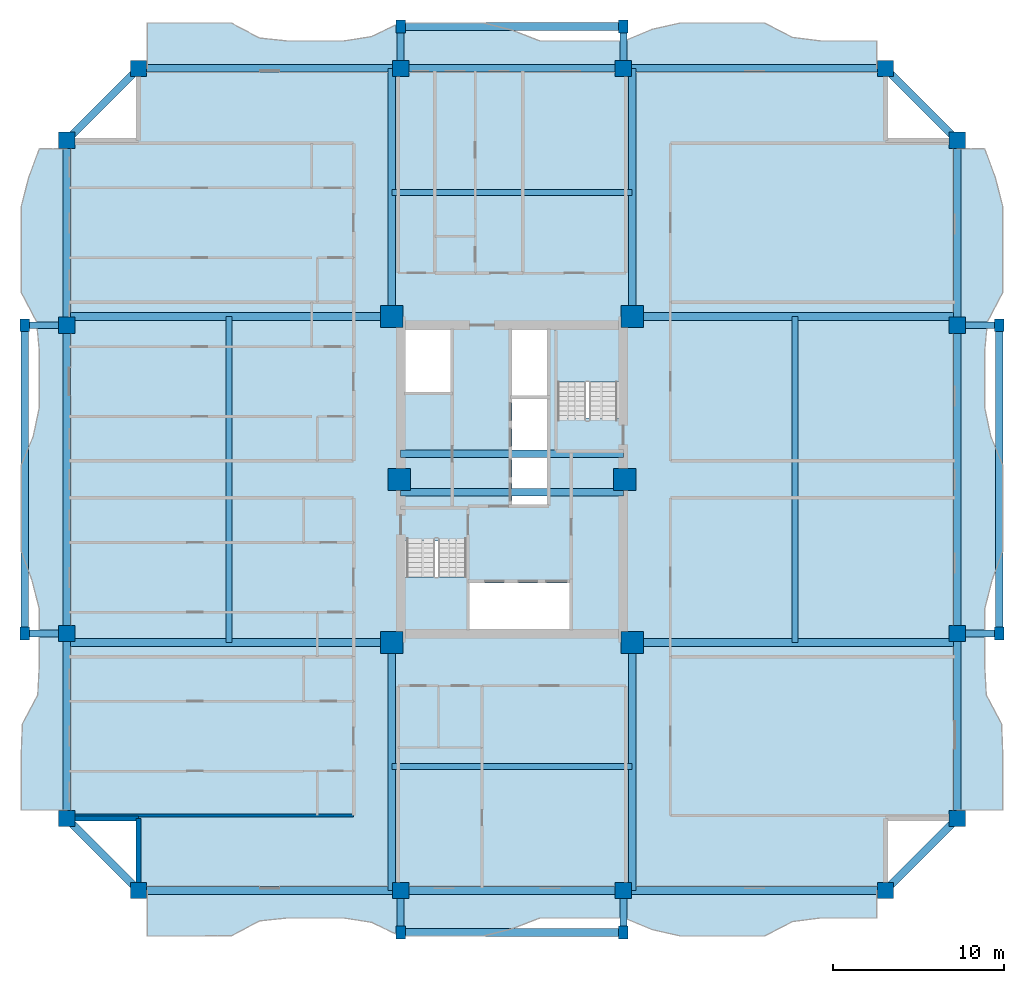
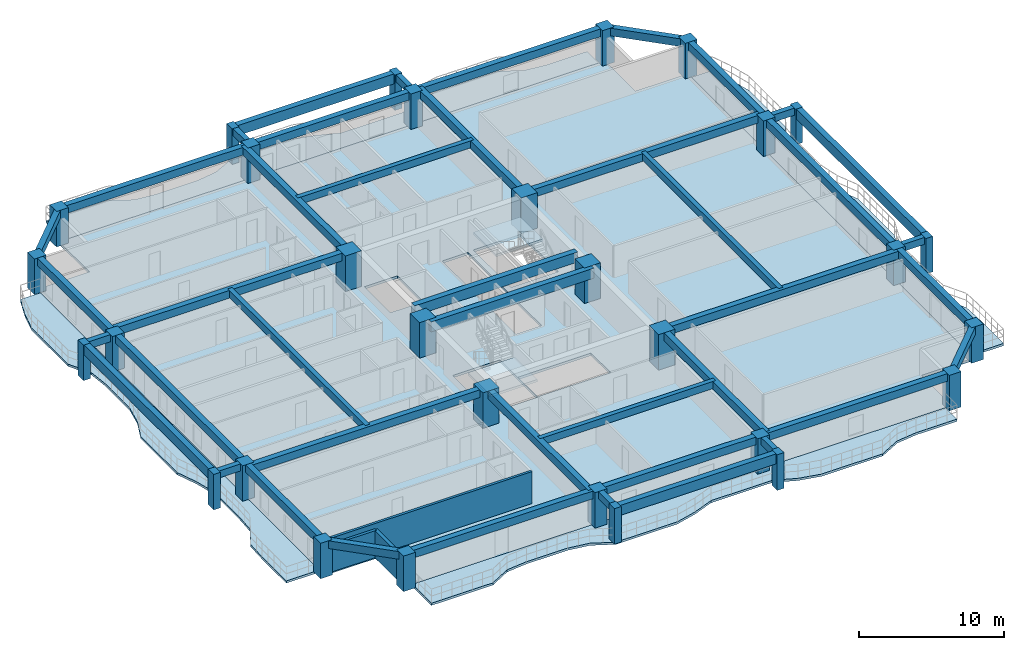
# One storey, part 1 of 11: 42 beams, 30 columns, 7 slabs, 3 walls, 2 elements without a shape of their own.
"""IFC4 building model written with IfcOpenShell, lengths in metres."""

import ifcopenshell
import ifcopenshell.guid

model = None  # the IFC model being written
_history = None  # IfcOwnerHistory: only IFC2X3 demands one
_inside = {}  # id of a spatial element -> (the spatial element, [elements in it])
_under = {}  # id of a project, library or spatial element -> (it, [spatial elements below it])
_declared = {}  # id of a project -> (the project, [libraries it declares])
_typed = {}  # id of a type object -> (the type object, [elements of that type])
_made_of = {}  # id of a material, layer set ... -> (it, [elements and type objects made of it])


def new_model(schema):
    """Start an empty IFC model of exactly this schema.

    Asked for "IFC4X3", IfcOpenShell would pick the latest addendum, in which some entities
    have other attributes; the version numbers below select the first issue.
    IFC2X3 requires an IfcOwnerHistory on every rooted entity: one is made here for all.
    """
    global model, _history
    if schema == "IFC4X3":
        model = ifcopenshell.file(schema_version=(4, 3, 0, 0))
    else:
        model = ifcopenshell.file(schema=schema)
    _inside.clear()
    _under.clear()
    _declared.clear()
    _typed.clear()
    _made_of.clear()
    _history = None
    if model.schema == "IFC2X3":
        org = make("IfcOrganization", Name="unknown")
        user = make(
            "IfcPersonAndOrganization",
            ThePerson=make("IfcPerson", FamilyName="unknown"),
            TheOrganization=org,
        )
        app = make(
            "IfcApplication",
            ApplicationDeveloper=org,
            Version="unknown",
            ApplicationFullName="unknown",
            ApplicationIdentifier="unknown",
        )
        _history = make(
            "IfcOwnerHistory",
            OwningUser=user,
            OwningApplication=app,
            ChangeAction="ADDED",
            CreationDate=0,
        )
    return model


def make(cls, **values):
    """One entity of the class cls with the attributes given. An attribute that is None is left unset."""
    return model.create_entity(
        cls, **{name: value for name, value in values.items() if value is not None}
    )


def rooted(cls, **values):
    """An entity with a GlobalId (a new one), such as an element, a storey or a relation."""
    return make(cls, GlobalId=ifcopenshell.guid.new(), OwnerHistory=_history, **values)


def si_unit(unit_type, name, prefix=None):
    """IfcSIUnit, for example si_unit("LENGTHUNIT", "METRE", prefix="MILLI")."""
    return make("IfcSIUnit", UnitType=unit_type, Prefix=prefix, Name=name)


def assignment(units):
    """IfcUnitAssignment: the units of a project."""
    return None if units is None else make("IfcUnitAssignment", Units=units)


def point(xyz):
    """IfcCartesianPoint."""
    return None if xyz is None else make("IfcCartesianPoint", Coordinates=xyz)


def direction(xyz):
    """IfcDirection."""
    return None if xyz is None else make("IfcDirection", DirectionRatios=xyz)


def frame(location, z_axis=None, x_axis=None):
    """IfcAxis2Placement3D, a coordinate frame: its origin and axes. An axis left out is left unset."""
    return make(
        "IfcAxis2Placement3D",
        Location=point(location),
        Axis=direction(z_axis),
        RefDirection=direction(x_axis),
    )


def frame_2d(location, x_axis=None):
    """IfcAxis2Placement2D, a coordinate frame in the plane: its origin and x axis."""
    return make(
        "IfcAxis2Placement2D", Location=point(location), RefDirection=direction(x_axis)
    )


def origin():
    """The frame at (0, 0, 0) with its axes left unset."""
    return frame((0.0, 0.0, 0.0))


def origin_2d():
    """The frame at (0, 0) in the plane with its x axis left unset."""
    return frame_2d((0.0, 0.0))


def place(relative_to, where):
    """IfcLocalPlacement: puts the frame where relative to a parent placement (None: the world)."""
    return make(
        "IfcLocalPlacement", PlacementRelTo=relative_to, RelativePlacement=where
    )


def context(
    kind, dimensions, precision=None, world=None, true_north=None, identifier=None
):
    """IfcGeometricRepresentationContext, for example the 3D "Model" context."""
    return make(
        "IfcGeometricRepresentationContext",
        ContextIdentifier=identifier,
        ContextType=kind,
        CoordinateSpaceDimension=dimensions,
        Precision=precision,
        WorldCoordinateSystem=world,
        TrueNorth=true_north,
    )


def subcontext(parent, identifier, kind, view, scale=None):
    """IfcGeometricRepresentationSubContext, for example "Body" below "Model"."""
    return make(
        "IfcGeometricRepresentationSubContext",
        ContextIdentifier=identifier,
        ContextType=kind,
        ParentContext=parent,
        TargetScale=scale,
        TargetView=view,
    )


def project(units=None, contexts=None):
    """IfcProject with its units and contexts."""
    return rooted(
        "IfcProject",
        Name="project",
        RepresentationContexts=contexts,
        UnitsInContext=assignment(units),
    )


def spatial(cls, under=None, at=None, **own):
    """A site, building, storey or space (cls), placed at a placement, below another one or the project."""
    s = rooted(cls, ObjectPlacement=at, **own)
    if under is not None:
        _under.setdefault(under.id(), (under, []))[1].append(s)
    return s


def polyline(points):
    """IfcPolyline through the points."""
    return make("IfcPolyline", Points=[point(p) for p in points])


def profile(cls, at=None, kind="AREA", **sizes):
    """A parametric profile (cls). Its sizes go by their IFC names, for example OverallWidth=200.0."""
    return make(cls, ProfileType=kind, Position=at, **sizes)


def rectangle(**sizes):
    """IfcRectangleProfileDef."""
    return profile("IfcRectangleProfileDef", **sizes)


def outline(outer, holes=None, kind="AREA"):
    """IfcArbitraryClosedProfileDef: a profile drawn as a closed curve; with holes, ...WithVoids."""
    if holes is None:
        return make("IfcArbitraryClosedProfileDef", ProfileType=kind, OuterCurve=outer)
    return make(
        "IfcArbitraryProfileDefWithVoids",
        ProfileType=kind,
        OuterCurve=outer,
        InnerCurves=holes,
    )


def extrude(swept, where, along, depth):
    """IfcExtrudedAreaSolid: the profile swept, set in the frame where, extruded along a direction by depth."""
    return make(
        "IfcExtrudedAreaSolid",
        SweptArea=swept,
        Position=where,
        ExtrudedDirection=direction(along),
        Depth=depth,
    )


def shape(context_of_items, identifier, shape_type, items):
    """IfcShapeRepresentation: the items that make up one representation, for example the "Body"."""
    return make(
        "IfcShapeRepresentation",
        ContextOfItems=context_of_items,
        RepresentationIdentifier=identifier,
        RepresentationType=shape_type,
        Items=items,
    )


def source(mapping_origin, context_of_items, identifier, shape_type, items):
    """IfcRepresentationMap: a shape defined once, which mapped items show again and again."""
    return make(
        "IfcRepresentationMap",
        MappingOrigin=mapping_origin,
        MappedRepresentation=shape(context_of_items, identifier, shape_type, items),
    )


def transform(
    local_origin,
    x_axis=None,
    y_axis=None,
    z_axis=None,
    scale=None,
    scale2=None,
    scale3=None,
    uniform=True,
):
    """IfcCartesianTransformationOperator3D, or its non-uniform kind. x_axis, y_axis, z_axis: its Axis1, 2, 3."""
    if uniform:
        return make(
            "IfcCartesianTransformationOperator3D",
            Axis1=direction(x_axis),
            Axis2=direction(y_axis),
            LocalOrigin=point(local_origin),
            Scale=scale,
            Axis3=direction(z_axis),
        )
    return make(
        "IfcCartesianTransformationOperator3DnonUniform",
        Axis1=direction(x_axis),
        Axis2=direction(y_axis),
        LocalOrigin=point(local_origin),
        Scale=scale,
        Axis3=direction(z_axis),
        Scale2=scale2,
        Scale3=scale3,
    )


def mapped(mapping_source, mapping_target):
    """IfcMappedItem: shows the shape of a source again, moved by a transform."""
    return make(
        "IfcMappedItem", MappingSource=mapping_source, MappingTarget=mapping_target
    )


def material(Name=None, Category=None):
    """IfcMaterial."""
    return make("IfcMaterial", Name=Name, Category=Category)


def layer(
    of_material, thickness, ventilated=None, Name=None, Category=None, Priority=None
):
    """IfcMaterialLayer: one layer of a wall or slab, of a material (None: an air gap)."""
    return make(
        "IfcMaterialLayer",
        Material=of_material,
        LayerThickness=thickness,
        IsVentilated=ventilated,
        Name=Name,
        Category=Category,
        Priority=Priority,
    )


def layer_set(layers, Name=None):
    """IfcMaterialLayerSet."""
    return make("IfcMaterialLayerSet", MaterialLayers=layers, LayerSetName=Name)


def material_profile(
    of_material, cross_section, Name=None, Category=None, Priority=None
):
    """IfcMaterialProfile: a cross section and its material."""
    return make(
        "IfcMaterialProfile",
        Name=Name,
        Material=of_material,
        Profile=cross_section,
        Priority=Priority,
        Category=Category,
    )


def profile_set(profiles, Name=None, composite=None):
    """IfcMaterialProfileSet."""
    return make(
        "IfcMaterialProfileSet",
        Name=Name,
        MaterialProfiles=profiles,
        CompositeProfile=composite,
    )


def made_of(thing, what):
    """Note that an element or type object is made of a material, layer set ...; save() writes the relation."""
    if what is not None:
        _made_of.setdefault(what.id(), (what, []))[1].append(thing)
    return thing


def type_object(cls, material=None, **own):
    """A type object (cls), such as IfcWallType, which elements share."""
    return made_of(rooted(cls, **own), material)


def element(
    cls,
    number,
    at=None,
    inside=None,
    cuts=None,
    type_object=None,
    material=None,
    context=None,
    identifier="Body",
    shape_type=None,
    held_by="IfcProductDefinitionShape",
    body=None,
    shapes=None,
    **own,
):
    """One element of the class cls, such as IfcWall. Its Tag is "e" and its number.

    at: its placement. inside: the storey or other place that contains it. cuts: it is an
    opening in that element (IfcRelVoidsElement). A single representation is given by context,
    identifier, shape_type and body (its items); several are given by shapes. held_by: the class
    of the entity that holds the representations. save() writes the other relations.
    """
    e = rooted(cls, Tag="e%d" % number, ObjectPlacement=at, **own)
    if body is not None:
        shapes = [shape(context, identifier, shape_type, body)]
    if shapes is not None:
        e.Representation = make(held_by, Representations=shapes)
    if inside is not None:
        _inside.setdefault(inside.id(), (inside, []))[1].append(e)
    if cuts is not None:
        rooted(
            "IfcRelVoidsElement", RelatingBuildingElement=cuts, RelatedOpeningElement=e
        )
    if type_object is not None:
        _typed.setdefault(type_object.id(), (type_object, []))[1].append(e)
    return made_of(e, material)


def aggregate(whole, parts):
    """IfcRelAggregates: a whole, such as a stair, and the parts it consists of."""
    return rooted("IfcRelAggregates", RelatingObject=whole, RelatedObjects=parts)


def save(model, path):
    """Write the relations noted so far, then the file.

    IfcRelAggregates (storeys below a building ...), IfcRelContainedInSpatialStructure (elements
    in a storey), IfcRelDefinesByType, IfcRelAssociatesMaterial and IfcRelDeclares: one each for
    every whole, place, type object, material and project.
    """
    for whole, parts in _under.values():
        aggregate(whole, parts)
    for where, things in _inside.values():
        rooted(
            "IfcRelContainedInSpatialStructure",
            RelatedElements=things,
            RelatingStructure=where,
        )
    for kind, things in _typed.values():
        rooted("IfcRelDefinesByType", RelatedObjects=things, RelatingType=kind)
    for what, things in _made_of.values():
        rooted("IfcRelAssociatesMaterial", RelatedObjects=things, RelatingMaterial=what)
    for by, libraries in _declared.values():
        rooted("IfcRelDeclares", RelatingContext=by, RelatedDefinitions=libraries)
    model.write(path)


model = new_model("IFC4")

# Units and contexts
model_context = context("Model", 3, precision=1e-05, world=origin(), true_north=direction((0.0, 1.0)))
body_context = subcontext(model_context, "Body", "Model", "MODEL_VIEW")
ifc_project = project(units=[si_unit("LENGTHUNIT", "METRE"), si_unit("AREAUNIT", "SQUARE_METRE"), si_unit("VOLUMEUNIT", "CUBIC_METRE"), si_unit("PLANEANGLEUNIT", "RADIAN"), si_unit("MASSUNIT", "GRAM", prefix="KILO")], contexts=[model_context])

# Site, building, storey
site_placement = place(None, origin())
site = spatial("IfcSite", under=ifc_project, at=site_placement, CompositionType="ELEMENT")
building_placement = place(site_placement, origin())
building = spatial("IfcBuilding", under=site, at=building_placement, Name="Saelheon Loggia Tower", CompositionType="ELEMENT")
storey_placement = place(building_placement, frame((0.0, 0.0, 141.75)))
storey = spatial("IfcBuildingStorey", under=building, at=storey_placement, Name="L45", CompositionType="ELEMENT", Elevation=141.75)

# Columns
ifc_material_1 = material(Name="Precast Concrete C45/55", Category="concrete")
ifc_material_profile_1 = material_profile(ifc_material_1, rectangle(XDim=0.550048828125, YDim=0.75, at=origin_2d()), Name="RC-550x750")
ifc_profile_set_1 = profile_set([ifc_material_profile_1], Name="Precast Concrete C45/55")
column_type_1 = type_object("IfcColumnType", Name="Col_Loggia_Pilaster_750", PredefinedType="PILASTER", material=ifc_profile_set_1)
shared_shape_1 = source(origin(), body_context, "Body", "SweptSolid", [
    extrude(rectangle(XDim=0.550048828125, YDim=0.75, at=origin_2d()), origin(), (0.0, 0.0, 1.0), 3.0),
])
for number, where, z_axis, x_axis, name in (
    (1, (31.5, 0.550048828125, 0.0), (0.0, 0.0, 1.0), (1.0, 0.0, 0.0), "L45 Loggia Frame Pilaster LP-S1"),
    (2, (44.5, 0.550048828125, 0.0), (0.0, 0.0, 1.0), (1.0, 0.0, 0.0), "L45 Loggia Frame Pilaster LP-S2"),
    (3, (31.5, 53.449951171875, 0.0), (0.0, 0.0, 1.0), (1.0, 0.0, 0.0), "L45 Loggia Frame Pilaster LP-N1"),
    (4, (44.5, 53.449951171875, 0.0), (0.0, 0.0, 1.0), (1.0, 0.0, 0.0), "L45 Loggia Frame Pilaster LP-N2"),
    (5, (66.449951171875, 18.0, 0.0), (0.0, 0.0, 1.0), (1.0, 0.0, 0.0), "L45 Loggia Frame Pilaster LP-E1"),
    (6, (66.449951171875, 36.0, 0.0), (0.0, 0.0, 1.0), (1.0, 0.0, 0.0), "L45 Loggia Frame Pilaster LP-E2"),
    (7, (9.550048828125, 18.0, 0.0), (0.0, 0.0, 1.0), (1.0, 0.0, 0.0), "L45 Loggia Frame Pilaster LP-W1"),
    (8, (9.550048828125, 36.0, 0.0), (0.0, 0.0, 1.0), (1.0, 0.0, 0.0), "L45 Loggia Frame Pilaster LP-W2"),
):
    element("IfcColumn", number, at=place(storey_placement, frame(where, z_axis=z_axis, x_axis=x_axis)), inside=storey, type_object=column_type_1, Name=name, PredefinedType="PILASTER", context=body_context, shape_type="MappedRepresentation", body=[
        mapped(shared_shape_1, transform((0.0, 0.0, 0.0), scale=1.0)),
    ])
ifc_material_2 = material(Name="Concrete C60/75", Category="concrete")
ifc_material_profile_2 = material_profile(ifc_material_2, rectangle(XDim=1.300048828125, YDim=1.300048828125, at=origin_2d()), Name="RC-1300x1300")
ifc_profile_set_2 = profile_set([ifc_material_profile_2], Name="Concrete C60/75")
column_type_2 = type_object("IfcColumnType", Name="Col_Core_RC1300", PredefinedType="COLUMN", material=ifc_profile_set_2)
shared_shape_2 = source(origin(), body_context, "Body", "SweptSolid", [
    extrude(rectangle(XDim=1.300048828125, YDim=1.300048828125, at=origin_2d()), origin(), (0.0, 0.0, 1.0), 3.0),
])
for number, where, z_axis, x_axis, name in (
    (9, (30.97998046875, 17.47998046875, 0.0), (0.0, 0.0, 1.0), (1.0, 0.0, 0.0), "L45 Core Column CR-SW"),
    (10, (45.02001953125, 17.47998046875, 0.0), (0.0, 0.0, 1.0), (1.0, 0.0, 0.0), "L45 Core Column CR-SE"),
    (11, (30.97998046875, 36.52001953125, 0.0), (0.0, 0.0, 1.0), (1.0, 0.0, 0.0), "L45 Core Column CR-NW"),
    (12, (45.02001953125, 36.52001953125, 0.0), (0.0, 0.0, 1.0), (1.0, 0.0, 0.0), "L45 Core Column CR-NE"),
    (13, (31.419921875, 27.0, 0.0), (0.0, 0.0, 1.0), (1.0, 0.0, 0.0), "L45 Core Column CR-MW"),
    (14, (44.580078125, 27.0, 0.0), (0.0, 0.0, 1.0), (1.0, 0.0, 0.0), "L45 Core Column CR-ME"),
):
    element("IfcColumn", number, at=place(storey_placement, frame(where, z_axis=z_axis, x_axis=x_axis)), inside=storey, type_object=column_type_2, Name=name, PredefinedType="COLUMN", context=body_context, shape_type="MappedRepresentation", body=[
        mapped(shared_shape_2, transform((0.0, 0.0, 0.0), scale=1.0)),
    ])
ifc_material_3 = material(Name="Concrete C50/60", Category="concrete")
ifc_material_profile_3 = material_profile(ifc_material_3, rectangle(XDim=0.949951171875, YDim=0.949951171875, at=origin_2d()), Name="RC-950x950")
ifc_profile_set_3 = profile_set([ifc_material_profile_3], Name="Concrete C50/60")
column_type_3 = type_object("IfcColumnType", Name="Col_Perim_RC950", PredefinedType="COLUMN", material=ifc_profile_set_3)
shared_shape_3 = source(origin(), body_context, "Body", "SweptSolid", [
    extrude(rectangle(XDim=0.949951171875, YDim=0.949951171875, at=origin_2d()), origin(), (0.0, 0.0, 1.0), 3.0),
])
for number, where, z_axis, x_axis, name in (
    (15, (16.199951171875, 3.0, 0.0), (0.0, 0.0, 1.0), (1.0, 0.0, 0.0), "L45 Perimeter Column TP-S1"),
    (16, (31.5, 3.0, 0.0), (0.0, 0.0, 1.0), (1.0, 0.0, 0.0), "L45 Perimeter Column TP-SA"),
    (17, (44.5, 3.0, 0.0), (0.0, 0.0, 1.0), (1.0, 0.0, 0.0), "L45 Perimeter Column TP-SB"),
    (18, (59.800048828125, 3.0, 0.0), (0.0, 0.0, 1.0), (1.0, 0.0, 0.0), "L45 Perimeter Column TP-S2"),
    (19, (64.0, 7.199951171875, 0.0), (0.0, 0.0, 1.0), (1.0, 0.0, 0.0), "L45 Perimeter Column TP-E1"),
    (20, (64.0, 18.0, 0.0), (0.0, 0.0, 1.0), (1.0, 0.0, 0.0), "L45 Perimeter Column TP-EA"),
    (21, (64.0, 36.0, 0.0), (0.0, 0.0, 1.0), (1.0, 0.0, 0.0), "L45 Perimeter Column TP-EB"),
    (22, (64.0, 46.800048828125, 0.0), (0.0, 0.0, 1.0), (1.0, 0.0, 0.0), "L45 Perimeter Column TP-E2"),
    (23, (59.800048828125, 51.0, 0.0), (0.0, 0.0, 1.0), (1.0, 0.0, 0.0), "L45 Perimeter Column TP-N2"),
    (24, (44.5, 51.0, 0.0), (0.0, 0.0, 1.0), (1.0, 0.0, 0.0), "L45 Perimeter Column TP-NB"),
    (25, (31.5, 51.0, 0.0), (0.0, 0.0, 1.0), (1.0, 0.0, 0.0), "L45 Perimeter Column TP-NA"),
    (26, (16.199951171875, 51.0, 0.0), (0.0, 0.0, 1.0), (1.0, 0.0, 0.0), "L45 Perimeter Column TP-N1"),
    (27, (12.0, 46.800048828125, 0.0), (0.0, 0.0, 1.0), (1.0, 0.0, 0.0), "L45 Perimeter Column TP-W2"),
    (28, (12.0, 36.0, 0.0), (0.0, 0.0, 1.0), (1.0, 0.0, 0.0), "L45 Perimeter Column TP-WB"),
    (29, (12.0, 18.0, 0.0), (0.0, 0.0, 1.0), (1.0, 0.0, 0.0), "L45 Perimeter Column TP-WA"),
    (30, (12.0, 7.199951171875, 0.0), (0.0, 0.0, 1.0), (1.0, 0.0, 0.0), "L45 Perimeter Column TP-W1"),
):
    element("IfcColumn", number, at=place(storey_placement, frame(where, z_axis=z_axis, x_axis=x_axis)), inside=storey, type_object=column_type_3, Name=name, PredefinedType="COLUMN", context=body_context, shape_type="MappedRepresentation", body=[
        mapped(shared_shape_3, transform((0.0, 0.0, 0.0), scale=1.0)),
    ])

# Beams
ifc_material_profile_4 = material_profile(ifc_material_3, rectangle(XDim=0.449951171875, YDim=0.85009765625, at=origin_2d()), Name="RC-450x850")
ifc_profile_set_4 = profile_set([ifc_material_profile_4], Name="Concrete C50/60")
beam_type_1 = type_object("IfcBeamType", Name="Beam_CoreLintel_RC450x850", PredefinedType="LINTEL", material=ifc_profile_set_4)
shared_shape_4 = source(origin(), body_context, "Body", "SweptSolid", [
    extrude(rectangle(XDim=0.449951171875, YDim=0.85009765625, at=origin_2d()), origin(), (0.0, 0.0, 1.0), 13.0),
])
for number, where, z_axis, x_axis, name in (
    (31, (31.5, 26.25, 2.574951171875), (1.0, 0.0, 0.0), (0.0, 1.0, 0.0), "L45 Core Coupling Lintel 1"),
    (32, (31.5, 28.5, 2.574951171875), (1.0, 0.0, 0.0), (0.0, 1.0, 0.0), "L45 Core Coupling Lintel 2"),
):
    element("IfcBeam", number, at=place(storey_placement, frame(where, z_axis=z_axis, x_axis=x_axis)), inside=storey, type_object=beam_type_1, Name=name, PredefinedType="LINTEL", context=body_context, shape_type="MappedRepresentation", body=[
        mapped(shared_shape_4, transform((0.0, 0.0, 0.0), scale=1.0)),
    ])
ifc_material_profile_5 = material_profile(ifc_material_1, rectangle(XDim=0.449951171875, YDim=0.85009765625, at=origin_2d()), Name="RC-450x850")
ifc_profile_set_5 = profile_set([ifc_material_profile_5], Name="Precast Concrete C45/55")
beam_type_2 = type_object("IfcBeamType", Name="Beam_LoggiaSpandrel_RC450x850", PredefinedType="SPANDREL", material=ifc_profile_set_5)
for number, where, z_axis, x_axis, name in (
    (33, (31.5, 0.550048828125, 2.574951171875), (1.0, 0.0, 0.0), (0.0, 1.0, 0.0), "L45 Loggia Spandrel Beam S"),
    (34, (31.5, 53.449951171875, 2.574951171875), (1.0, 0.0, 0.0), (0.0, 1.0, 0.0), "L45 Loggia Spandrel Beam N"),
):
    element("IfcBeam", number, at=place(storey_placement, frame(where, z_axis=z_axis, x_axis=x_axis)), inside=storey, type_object=beam_type_2, Name=name, PredefinedType="SPANDREL", context=body_context, shape_type="MappedRepresentation", body=[
        mapped(shared_shape_4, transform((0.0, 0.0, 0.0), scale=1.0)),
    ])
ifc_material_profile_6 = material_profile(ifc_material_1, rectangle(XDim=0.39990234375, YDim=0.60009765625, at=origin_2d()), Name="RC-400x600")
ifc_profile_set_6 = profile_set([ifc_material_profile_6], Name="Precast Concrete C45/55")
beam_type_3 = type_object("IfcBeamType", Name="Beam_LoggiaTie_RC400x600", PredefinedType="BEAM", material=ifc_profile_set_6)
shared_shape_5 = source(origin(), body_context, "Body", "SweptSolid", [
    extrude(rectangle(XDim=0.39990234375, YDim=0.60009765625, at=origin_2d()), origin(), (0.0, 0.0, 1.0), 2.449951171875),
])
for number, where, z_axis, x_axis, name in (
    (35, (31.5, 3.0, 2.699951171875), (0.0, -1.0, 0.0), (1.0, 0.0, 0.0), "L45 Loggia Frame Tie Beam LP-S1"),
    (36, (44.5, 3.0, 2.699951171875), (0.0, -1.0, 0.0), (1.0, 0.0, 0.0), "L45 Loggia Frame Tie Beam LP-S2"),
    (37, (31.5, 51.0, 2.699951171875), (0.0, 1.0, 0.0), (-1.0, 0.0, 0.0), "L45 Loggia Frame Tie Beam LP-N1"),
    (38, (44.5, 51.0, 2.699951171875), (0.0, 1.0, 0.0), (-1.0, 0.0, 0.0), "L45 Loggia Frame Tie Beam LP-N2"),
    (39, (64.0, 18.0, 2.699951171875), (1.0, 0.0, 0.0), (0.0, 1.0, 0.0), "L45 Loggia Frame Tie Beam LP-E1"),
    (40, (64.0, 36.0, 2.699951171875), (1.0, 0.0, 0.0), (0.0, 1.0, 0.0), "L45 Loggia Frame Tie Beam LP-E2"),
    (41, (12.0, 18.0, 2.699951171875), (-1.0, 0.0, 0.0), (0.0, -1.0, 0.0), "L45 Loggia Frame Tie Beam LP-W1"),
    (42, (12.0, 36.0, 2.699951171875), (-1.0, 0.0, 0.0), (0.0, -1.0, 0.0), "L45 Loggia Frame Tie Beam LP-W2"),
):
    element("IfcBeam", number, at=place(storey_placement, frame(where, z_axis=z_axis, x_axis=x_axis)), inside=storey, type_object=beam_type_3, Name=name, PredefinedType="BEAM", context=body_context, shape_type="MappedRepresentation", body=[
        mapped(shared_shape_5, transform((0.0, 0.0, 0.0), scale=1.0)),
    ])
shared_shape_6 = source(origin(), body_context, "Body", "SweptSolid", [
    extrude(rectangle(XDim=0.449951171875, YDim=0.85009765625, at=origin_2d()), origin(), (0.0, 0.0, 1.0), 18.0),
])
for number, where, z_axis, x_axis, name in (
    (43, (66.449951171875, 18.0, 2.574951171875), (0.0, 1.0, 0.0), (-1.0, 0.0, 0.0), "L45 Loggia Spandrel Beam E"),
    (44, (9.550048828125, 18.0, 2.574951171875), (0.0, 1.0, 0.0), (-1.0, 0.0, 0.0), "L45 Loggia Spandrel Beam W"),
):
    element("IfcBeam", number, at=place(storey_placement, frame(where, z_axis=z_axis, x_axis=x_axis)), inside=storey, type_object=beam_type_2, Name=name, PredefinedType="SPANDREL", context=body_context, shape_type="MappedRepresentation", body=[
        mapped(shared_shape_6, transform((0.0, 0.0, 0.0), scale=1.0)),
    ])
ifc_material_4 = material(Name="Concrete C45/55", Category="concrete")
ifc_material_profile_7 = material_profile(ifc_material_4, rectangle(XDim=0.35009765625, YDim=0.60009765625, at=origin_2d()), Name="RC-350x600")
ifc_profile_set_7 = profile_set([ifc_material_profile_7], Name="Concrete C45/55")
beam_type_4 = type_object("IfcBeamType", Name="Beam_AmenityJoist_RC350x600", PredefinedType="JOIST", material=ifc_profile_set_7)
shared_shape_7 = source(origin(), body_context, "Body", "SweptSolid", [
    extrude(rectangle(XDim=0.35009765625, YDim=0.60009765625, at=origin_2d()), origin(), (0.0, 0.0, 1.0), 14.0400390625),
])
for number, where, z_axis, x_axis, name in (
    (45, (30.97998046875, 10.239990234375, 2.699951171875), (1.0, 0.0, 0.0), (0.0, 1.0, 0.0), "L45 South Floor Joist"),
    (46, (30.97998046875, 43.760009765625, 2.699951171875), (1.0, 0.0, 0.0), (0.0, 1.0, 0.0), "L45 North Floor Joist"),
):
    element("IfcBeam", number, at=place(storey_placement, frame(where, z_axis=z_axis, x_axis=x_axis)), inside=storey, type_object=beam_type_4, Name=name, PredefinedType="JOIST", context=body_context, shape_type="MappedRepresentation", body=[
        mapped(shared_shape_7, transform((0.0, 0.0, 0.0), scale=1.0)),
    ])
shared_shape_8 = source(origin(), body_context, "Body", "SweptSolid", [
    extrude(rectangle(XDim=0.35009765625, YDim=0.60009765625, at=origin_2d()), origin(), (0.0, 0.0, 1.0), 19.0400390625),
])
for number, where, z_axis, x_axis, name in (
    (47, (21.489990234375, 17.47998046875, 2.699951171875), (0.0, 1.0, 0.0), (-1.0, 0.0, 0.0), "L45 West Floor Joist"),
    (48, (54.510009765625, 17.47998046875, 2.699951171875), (0.0, 1.0, 0.0), (-1.0, 0.0, 0.0), "L45 East Floor Joist"),
):
    element("IfcBeam", number, at=place(storey_placement, frame(where, z_axis=z_axis, x_axis=x_axis)), inside=storey, type_object=beam_type_4, Name=name, PredefinedType="JOIST", context=body_context, shape_type="MappedRepresentation", body=[
        mapped(shared_shape_8, transform((0.0, 0.0, 0.0), scale=1.0)),
    ])
ifc_material_5 = material(Name="Concrete C40/50", Category="concrete")
ifc_material_profile_8 = material_profile(ifc_material_5, rectangle(XDim=0.449951171875, YDim=0.64990234375, at=origin_2d()), Name="RC-450x650")
ifc_profile_set_8 = profile_set([ifc_material_profile_8], Name="Concrete C40/50")
beam_type_5 = type_object("IfcBeamType", Name="Beam_PerimTower_RC450x650", PredefinedType="BEAM", material=ifc_profile_set_8)
shared_shape_9 = source(origin(), body_context, "Body", "SweptSolid", [
    extrude(rectangle(XDim=0.449951171875, YDim=0.64990234375, at=origin_2d()), origin(), (0.0, 0.0, 1.0), 15.300048828125),
])
for number, where, z_axis, x_axis, name in (
    (49, (16.199951171875, 3.0, 2.675048828125), (1.0, 0.0, 0.0), (0.0, 1.0, 0.0), "L45 Perimeter Frame Girder 01"),
    (50, (44.5, 3.0, 2.675048828125), (1.0, 0.0, 0.0), (0.0, 1.0, 0.0), "L45 Perimeter Frame Girder 03"),
    (51, (59.800048828125, 51.0, 2.675048828125), (-1.0, 0.0, 0.0), (0.0, -1.0, 0.0), "L45 Perimeter Frame Girder 09"),
    (52, (31.5, 51.0, 2.675048828125), (-1.0, 0.0, 0.0), (0.0, -1.0, 0.0), "L45 Perimeter Frame Girder 11"),
):
    element("IfcBeam", number, at=place(storey_placement, frame(where, z_axis=z_axis, x_axis=x_axis)), inside=storey, type_object=beam_type_5, Name=name, PredefinedType="BEAM", context=body_context, shape_type="MappedRepresentation", body=[
        mapped(shared_shape_9, transform((0.0, 0.0, 0.0), scale=1.0)),
    ])
shared_shape_10 = source(origin(), body_context, "Body", "SweptSolid", [
    extrude(rectangle(XDim=0.449951171875, YDim=0.64990234375, at=origin_2d()), origin(), (0.0, 0.0, 1.0), 13.0),
])
for number, where, z_axis, x_axis, name in (
    (53, (31.5, 3.0, 2.675048828125), (1.0, 0.0, 0.0), (0.0, 1.0, 0.0), "L45 Perimeter Frame Girder 02"),
    (54, (44.5, 51.0, 2.675048828125), (-1.0, 0.0, 0.0), (0.0, -1.0, 0.0), "L45 Perimeter Frame Girder 10"),
):
    element("IfcBeam", number, at=place(storey_placement, frame(where, z_axis=z_axis, x_axis=x_axis)), inside=storey, type_object=beam_type_5, Name=name, PredefinedType="BEAM", context=body_context, shape_type="MappedRepresentation", body=[
        mapped(shared_shape_10, transform((0.0, 0.0, 0.0), scale=1.0)),
    ])
shared_shape_11 = source(origin(), body_context, "Body", "SweptSolid", [
    extrude(rectangle(XDim=0.449951171875, YDim=0.64990234375, at=origin_2d()), origin(), (0.0, 0.0, 1.0), 5.939697265625),
])
for number, where, z_axis, x_axis, name in (
    (55, (59.800048828125, 3.0, 2.675048828125), (0.707106781187, 0.707106781187, 0.0), (-0.707106781187, 0.707106781187, 0.0), "L45 Perimeter Frame Girder 04"),
    (56, (64.0, 46.800048828125, 2.675048828125), (-0.707106781187, 0.707106781187, 0.0), (-0.707106781187, -0.707106781187, 0.0), "L45 Perimeter Frame Girder 08"),
    (57, (16.199951171875, 51.0, 2.675048828125), (-0.707106781187, -0.707106781187, 0.0), (0.707106781187, -0.707106781187, 0.0), "L45 Perimeter Frame Girder 12"),
    (58, (12.0, 7.199951171875, 2.675048828125), (0.707106781187, -0.707106781187, 0.0), (0.707106781187, 0.707106781187, 0.0), "L45 Perimeter Frame Girder 16"),
):
    element("IfcBeam", number, at=place(storey_placement, frame(where, z_axis=z_axis, x_axis=x_axis)), inside=storey, type_object=beam_type_5, Name=name, PredefinedType="BEAM", context=body_context, shape_type="MappedRepresentation", body=[
        mapped(shared_shape_11, transform((0.0, 0.0, 0.0), scale=1.0)),
    ])
shared_shape_12 = source(origin(), body_context, "Body", "SweptSolid", [
    extrude(rectangle(XDim=0.449951171875, YDim=0.64990234375, at=origin_2d()), origin(), (0.0, 0.0, 1.0), 10.800048828125),
])
for number, where, z_axis, x_axis, name in (
    (59, (64.0, 7.199951171875, 2.675048828125), (0.0, 1.0, 0.0), (-1.0, 0.0, 0.0), "L45 Perimeter Frame Girder 05"),
    (60, (64.0, 36.0, 2.675048828125), (0.0, 1.0, 0.0), (-1.0, 0.0, 0.0), "L45 Perimeter Frame Girder 07"),
    (61, (12.0, 46.800048828125, 2.675048828125), (0.0, -1.0, 0.0), (1.0, 0.0, 0.0), "L45 Perimeter Frame Girder 13"),
    (62, (12.0, 18.0, 2.675048828125), (0.0, -1.0, 0.0), (1.0, 0.0, 0.0), "L45 Perimeter Frame Girder 15"),
):
    element("IfcBeam", number, at=place(storey_placement, frame(where, z_axis=z_axis, x_axis=x_axis)), inside=storey, type_object=beam_type_5, Name=name, PredefinedType="BEAM", context=body_context, shape_type="MappedRepresentation", body=[
        mapped(shared_shape_12, transform((0.0, 0.0, 0.0), scale=1.0)),
    ])
shared_shape_13 = source(origin(), body_context, "Body", "SweptSolid", [
    extrude(rectangle(XDim=0.449951171875, YDim=0.64990234375, at=origin_2d()), origin(), (0.0, 0.0, 1.0), 18.0),
])
for number, where, z_axis, x_axis, name in (
    (63, (64.0, 18.0, 2.675048828125), (0.0, 1.0, 0.0), (-1.0, 0.0, 0.0), "L45 Perimeter Frame Girder 06"),
    (64, (12.0, 36.0, 2.675048828125), (0.0, -1.0, 0.0), (1.0, 0.0, 0.0), "L45 Perimeter Frame Girder 14"),
):
    element("IfcBeam", number, at=place(storey_placement, frame(where, z_axis=z_axis, x_axis=x_axis)), inside=storey, type_object=beam_type_5, Name=name, PredefinedType="BEAM", context=body_context, shape_type="MappedRepresentation", body=[
        mapped(shared_shape_13, transform((0.0, 0.0, 0.0), scale=1.0)),
    ])
ifc_material_profile_9 = material_profile(ifc_material_5, rectangle(XDim=0.449951171875, YDim=0.64990234375, at=origin_2d()), Name="RC-450x650")
ifc_profile_set_9 = profile_set([ifc_material_profile_9], Name="Concrete C40/50")
beam_type_6 = type_object("IfcBeamType", Name="Beam_TowerGirder_RC450x650", PredefinedType="BEAM", material=ifc_profile_set_9)
shared_shape_14 = source(origin(), body_context, "Body", "SweptSolid", [
    extrude(rectangle(XDim=0.449951171875, YDim=0.64990234375, at=origin_2d()), origin(), (0.0, 0.0, 1.0), 14.47998046875),
])
for number, where, z_axis, x_axis, name in (
    (65, (30.97998046875, 17.47998046875, 2.675048828125), (0.0, -1.0, 0.0), (1.0, 0.0, 0.0), "L45 Radial Floor Girder RAD-SW-S"),
    (66, (45.02001953125, 17.47998046875, 2.675048828125), (0.0, -1.0, 0.0), (1.0, 0.0, 0.0), "L45 Radial Floor Girder RAD-SE-S"),
    (67, (30.97998046875, 36.52001953125, 2.675048828125), (0.0, 1.0, 0.0), (-1.0, 0.0, 0.0), "L45 Radial Floor Girder RAD-NW-N"),
    (68, (45.02001953125, 36.52001953125, 2.675048828125), (0.0, 1.0, 0.0), (-1.0, 0.0, 0.0), "L45 Radial Floor Girder RAD-NE-N"),
):
    element("IfcBeam", number, at=place(storey_placement, frame(where, z_axis=z_axis, x_axis=x_axis)), inside=storey, type_object=beam_type_6, Name=name, PredefinedType="BEAM", context=body_context, shape_type="MappedRepresentation", body=[
        mapped(shared_shape_14, transform((0.0, 0.0, 0.0), scale=1.0)),
    ])
shared_shape_15 = source(origin(), body_context, "Body", "SweptSolid", [
    extrude(rectangle(XDim=0.449951171875, YDim=0.64990234375, at=origin_2d()), origin(), (0.0, 0.0, 1.0), 18.97998046875),
])
for number, where, z_axis, x_axis, name in (
    (69, (30.97998046875, 17.47998046875, 2.675048828125), (-1.0, 0.0, 0.0), (0.0, -1.0, 0.0), "L45 Radial Floor Girder RAD-SW-W"),
    (70, (30.97998046875, 36.52001953125, 2.675048828125), (-1.0, 0.0, 0.0), (0.0, -1.0, 0.0), "L45 Radial Floor Girder RAD-NW-W"),
    (71, (45.02001953125, 17.47998046875, 2.675048828125), (1.0, 0.0, 0.0), (0.0, 1.0, 0.0), "L45 Radial Floor Girder RAD-SE-E"),
    (72, (45.02001953125, 36.52001953125, 2.675048828125), (1.0, 0.0, 0.0), (0.0, 1.0, 0.0), "L45 Radial Floor Girder RAD-NE-E"),
):
    element("IfcBeam", number, at=place(storey_placement, frame(where, z_axis=z_axis, x_axis=x_axis)), inside=storey, type_object=beam_type_6, Name=name, PredefinedType="BEAM", context=body_context, shape_type="MappedRepresentation", body=[
        mapped(shared_shape_15, transform((0.0, 0.0, 0.0), scale=1.0)),
    ])

# Slabs
ifc_layer_1 = layer(ifc_material_1, 0.18994140625)
ifc_layer_set_1 = layer_set([ifc_layer_1], Name="Precast Concrete C45/55")
slab_type_1 = type_object("IfcSlabType", Name="Slab_Loggia_Ext_190", PredefinedType="FLOOR", material=ifc_layer_set_1)
slab_1_placement = place(storey_placement, frame((0.0, 0.0, -0.18994140625)))
element("IfcSlab", 73, at=slab_1_placement, inside=storey, type_object=slab_type_1, Name="L45 Loggia Balcony Slab S", PredefinedType="FLOOR", context=body_context, shape_type="SweptSolid", body=[
    extrude(outline(polyline([(16.699951171875, 0.35009765625), (18.33837890625, 0.35009765625), (19.976806640625, 0.35009765625), (21.615478515625, 0.353759765625), (23.25390625, 1.2275390625), (24.892333984375, 1.39990234375), (26.53076171875, 1.39990234375), (28.169189453125, 1.39990234375), (29.8076171875, 1.142578125), (31.4462890625, 0.35009765625), (33.084716796875, 0.35009765625), (34.72314453125, 0.35009765625), (36.361572265625, 0.35009765625), (38.0, 0.7685546875), (39.638427734375, 1.39990234375), (41.27685546875, 1.39990234375), (42.915283203125, 1.39990234375), (44.5537109375, 1.39990234375), (46.1923828125, 0.718505859375), (47.830810546875, 0.35009765625), (49.46923828125, 0.35009765625), (51.107666015625, 0.35009765625), (52.74609375, 0.35009765625), (54.384521484375, 1.19140625), (56.023193359375, 1.39990234375), (57.66162109375, 1.39990234375), (59.300048828125, 1.39990234375), (59.300048828125, 3.0), (16.699951171875, 3.0), (16.699951171875, 0.35009765625)])), origin(), (0.0, 0.0, 1.0), 0.18994140625),
])
slab_2_placement = place(storey_placement, frame((0.0, 0.0, -0.18994140625)))
element("IfcSlab", 74, at=slab_2_placement, inside=storey, type_object=slab_type_1, Name="L45 Loggia Balcony Slab N", PredefinedType="FLOOR", context=body_context, shape_type="SweptSolid", body=[
    extrude(outline(polyline([(16.699951171875, 51.0), (59.300048828125, 51.0), (59.300048828125, 52.60009765625), (57.66162109375, 52.60009765625), (56.023193359375, 52.60009765625), (54.384521484375, 52.80859375), (52.74609375, 53.64990234375), (51.107666015625, 53.64990234375), (49.46923828125, 53.64990234375), (47.830810546875, 53.64990234375), (46.1923828125, 53.281494140625), (44.5537109375, 52.60009765625), (42.915283203125, 52.60009765625), (41.27685546875, 52.60009765625), (39.638427734375, 52.60009765625), (38.0, 53.2314453125), (36.361572265625, 53.64990234375), (34.72314453125, 53.64990234375), (33.084716796875, 53.64990234375), (31.4462890625, 53.64990234375), (29.8076171875, 52.857421875), (28.169189453125, 52.60009765625), (26.53076171875, 52.60009765625), (24.892333984375, 52.60009765625), (23.25390625, 52.7724609375), (21.615478515625, 53.646240234375), (19.976806640625, 53.64990234375), (18.33837890625, 53.64990234375), (16.699951171875, 53.64990234375), (16.699951171875, 51.0)])), origin(), (0.0, 0.0, 1.0), 0.18994140625),
])
slab_3_placement = place(storey_placement, frame((0.0, 0.0, -0.18994140625)))
element("IfcSlab", 75, at=slab_3_placement, inside=storey, type_object=slab_type_1, Name="L45 Loggia Balcony Slab E", PredefinedType="FLOOR", context=body_context, shape_type="SweptSolid", body=[
    extrude(outline(polyline([(64.0, 7.699951171875), (66.64990234375, 7.699951171875), (66.64990234375, 9.37841796875), (66.64990234375, 11.056396484375), (66.585205078125, 12.73486328125), (65.690185546875, 14.4130859375), (65.60009765625, 16.09130859375), (65.60009765625, 17.76953125), (65.60009765625, 19.44775390625), (66.0283203125, 21.126220703125), (66.64990234375, 22.80419921875), (66.64990234375, 24.482666015625), (66.64990234375, 26.160888671875), (66.64990234375, 27.839111328125), (65.950927734375, 29.517333984375), (65.60009765625, 31.19580078125), (65.60009765625, 32.873779296875), (65.60009765625, 34.55224609375), (65.76416015625, 36.23046875), (66.64990234375, 37.90869140625), (66.64990234375, 39.5869140625), (66.64990234375, 41.26513671875), (66.64990234375, 42.943603515625), (66.2197265625, 44.62158203125), (65.60009765625, 46.300048828125), (64.0, 46.300048828125), (64.0, 7.699951171875)])), origin(), (0.0, 0.0, 1.0), 0.18994140625),
])
slab_4_placement = place(storey_placement, frame((0.0, 0.0, -0.18994140625)))
element("IfcSlab", 76, at=slab_4_placement, inside=storey, type_object=slab_type_1, Name="L45 Loggia Balcony Slab W", PredefinedType="FLOOR", context=body_context, shape_type="SweptSolid", body=[
    extrude(outline(polyline([(12.0, 7.699951171875), (12.0, 46.300048828125), (10.39990234375, 46.300048828125), (9.7802734375, 44.62158203125), (9.35009765625, 42.943603515625), (9.35009765625, 41.26513671875), (9.35009765625, 39.5869140625), (9.35009765625, 37.90869140625), (10.23583984375, 36.23046875), (10.39990234375, 34.55224609375), (10.39990234375, 32.873779296875), (10.39990234375, 31.19580078125), (10.049072265625, 29.517333984375), (9.35009765625, 27.839111328125), (9.35009765625, 26.160888671875), (9.35009765625, 24.482666015625), (9.35009765625, 22.80419921875), (9.9716796875, 21.126220703125), (10.39990234375, 19.44775390625), (10.39990234375, 17.76953125), (10.39990234375, 16.09130859375), (10.309814453125, 14.4130859375), (9.414794921875, 12.73486328125), (9.35009765625, 11.056396484375), (9.35009765625, 9.37841796875), (9.35009765625, 7.699951171875), (12.0, 7.699951171875)])), origin(), (0.0, 0.0, 1.0), 0.18994140625),
])

# Stair, slab
stair_type = type_object("IfcStairType", Name="Stair_Escape_Core", PredefinedType="HALF_TURN_STAIR", material=ifc_material_5)
stair_1_placement = place(storey_placement, origin())
stair_1 = element("IfcStair", 77, at=stair_1_placement, inside=storey, type_object=stair_type, Name="L45 Special Escape Stair ST1", PredefinedType="HALF_TURN_STAIR")
ifc_layer_2 = layer(ifc_material_5, 0.199951171875)
ifc_layer_set_2 = layer_set([ifc_layer_2], Name="Concrete C40/50")
slab_type_2 = type_object("IfcSlabType", Name="Slab_StairLanding_ST1", PredefinedType="LANDING", material=ifc_layer_set_2)
slab_5_placement = place(storey_placement, frame((0.0, 0.0, 1.300048828125)))
slab_5 = element("IfcSlab", 78, at=slab_5_placement, type_object=slab_type_2, Name="ST1 landing 1", PredefinedType="LANDING", context=body_context, shape_type="SweptSolid", body=[
    extrude(outline(polyline([(31.7099609375, 21.31005859375), (31.7099609375, 18.2099609375), (35.469970703125, 18.2099609375), (35.469970703125, 21.31005859375), (31.7099609375, 21.31005859375)])), origin(), (0.0, 0.0, 1.0), 0.199951171875),
])
aggregate(stair_1, [slab_5])

stair_2_placement = place(storey_placement, origin())
stair_2 = element("IfcStair", 79, at=stair_2_placement, inside=storey, type_object=stair_type, Name="L45 Special Escape Stair ST2", PredefinedType="HALF_TURN_STAIR")
ifc_layer_3 = layer(ifc_material_5, 0.199951171875)
ifc_layer_set_3 = layer_set([ifc_layer_3], Name="Concrete C40/50")
slab_type_3 = type_object("IfcSlabType", Name="Slab_StairLanding_ST2", PredefinedType="LANDING", material=ifc_layer_set_3)
slab_6_placement = place(storey_placement, frame((0.0, 0.0, 1.300048828125)))
slab_6 = element("IfcSlab", 80, at=slab_6_placement, type_object=slab_type_3, Name="ST2 landing 1", PredefinedType="LANDING", context=body_context, shape_type="SweptSolid", body=[
    extrude(outline(polyline([(44.2900390625, 32.68994140625), (44.2900390625, 35.7900390625), (40.530029296875, 35.7900390625), (40.530029296875, 32.68994140625), (44.2900390625, 32.68994140625)])), origin(), (0.0, 0.0, 1.0), 0.199951171875),
])
aggregate(stair_2, [slab_6])

# Slab
ifc_layer_4 = layer(ifc_material_5, 0.2099609375)
ifc_layer_set_4 = layer_set([ifc_layer_4], Name="Concrete C40/50")
slab_type_4 = type_object("IfcSlabType", Name="Slab_Tower_210", PredefinedType="FLOOR", material=ifc_layer_set_4)
slab_7_placement = place(storey_placement, frame((0.0, 0.0, -0.2099609375)))
element("IfcSlab", 81, at=slab_7_placement, inside=storey, type_object=slab_type_4, Name="L45 Tower Floor Slab", PredefinedType="FLOOR", context=body_context, shape_type="SweptSolid", body=[
    extrude(outline(polyline([(16.199951171875, 3.0), (59.800048828125, 3.0), (59.800048828125, 7.199951171875), (64.0, 7.199951171875), (64.0, 46.800048828125), (59.800048828125, 46.800048828125), (59.800048828125, 51.0), (16.199951171875, 51.0), (16.199951171875, 46.800048828125), (12.0, 46.800048828125), (12.0, 7.199951171875), (16.199951171875, 7.199951171875), (16.199951171875, 3.0)]), holes=[polyline([(31.699951171875, 23.409912109375), (31.699951171875, 18.199951171875), (35.47998046875, 18.199951171875), (35.47998046875, 23.409912109375), (31.699951171875, 23.409912109375)]), polyline([(44.300048828125, 30.590087890625), (44.300048828125, 35.800048828125), (40.52001953125, 35.800048828125), (40.52001953125, 30.590087890625), (44.300048828125, 30.590087890625)]), polyline([(35.530029296875, 18.27490234375), (41.35009765625, 18.27490234375), (41.35009765625, 20.9599609375), (35.530029296875, 20.9599609375), (35.530029296875, 18.27490234375)]), polyline([(31.77490234375, 32.1201171875), (34.419921875, 32.1201171875), (34.419921875, 35.72509765625), (31.77490234375, 35.72509765625), (31.77490234375, 32.1201171875)]), polyline([(38.0, 31.89990234375), (40.050048828125, 31.89990234375), (40.050048828125, 35.72509765625), (38.0, 35.72509765625), (38.0, 31.89990234375)]), polyline([(38.0, 25.5400390625), (40.050048828125, 25.5400390625), (40.050048828125, 31.699951171875), (38.0, 31.699951171875), (38.0, 25.5400390625)])]), origin(), (0.0, 0.0, 1.0), 0.2099609375),
])

# Walls
ifc_material_6 = material(Name="Architectural Precast Concrete C40/50", Category="concrete")
ifc_layer_5 = layer(ifc_material_6, 0.280029296875)
ifc_layer_set_5 = layer_set([ifc_layer_5], Name="Architectural Precast Concrete C40/50")
wall_type_1 = type_object("IfcWallType", Name="Wall_Ext_Loggia_280", PredefinedType="SOLIDWALL", material=ifc_layer_set_5)
for number, where, z_axis, x_axis, name in (
    (82, (16.199951171875, 3.080078125, 0.0), (0.0, 0.0, 1.0), (0.0, 1.0, 0.0), "L45 Corner Notch Precast Wall SW1"),
    (83, (12.080078125, 7.199951171875, 0.0), (0.0, 0.0, 1.0), (1.0, 0.0, 0.0), "L45 Corner Notch Precast Wall SW2"),
):
    element("IfcWall", number, at=place(storey_placement, frame(where, z_axis=z_axis, x_axis=x_axis)), inside=storey, type_object=wall_type_1, Name=name, PredefinedType="SOLIDWALL", context=body_context, shape_type="SweptSolid", body=[
        extrude(rectangle(XDim=4.119873046875, YDim=0.280029296875, at=frame_2d((2.06005859375, 0.0))), origin(), (0.0, 0.0, 1.0), 2.280029296875),
    ])
ifc_material_7 = material(Name="Double Acoustic Stud and Fireboard Partition", Category="gypsum")
ifc_layer_6 = layer(ifc_material_7, 0.199951171875)
ifc_layer_set_6 = layer_set([ifc_layer_6], Name="Double Acoustic Stud and Fireboard Partition")
wall_type_2 = type_object("IfcWallType", Name="Wall_Party_200", PredefinedType="PARTITIONING", material=ifc_layer_set_6)
wall_placement = place(storey_placement, frame((28.75, 7.3798828125, 0.0), z_axis=(0.0, 0.0, 1.0), x_axis=(-1.0, 0.0, 0.0)))
element("IfcWall", 84, at=wall_placement, inside=storey, type_object=wall_type_2, Name="L45 WS Partition U01", PredefinedType="PARTITIONING", context=body_context, shape_type="SweptSolid", body=[
    extrude(rectangle(XDim=16.60009765625, YDim=0.199951171875, at=frame_2d((8.300048828125, 0.0))), origin(), (0.0, 0.0, 1.0), 2.699951171875),
])

save(model, "model.ifc")
